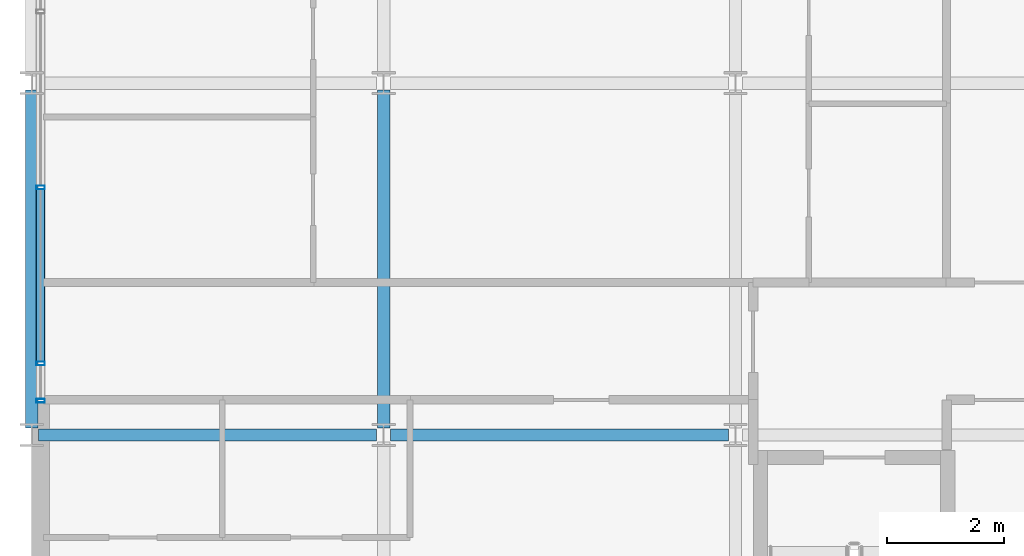
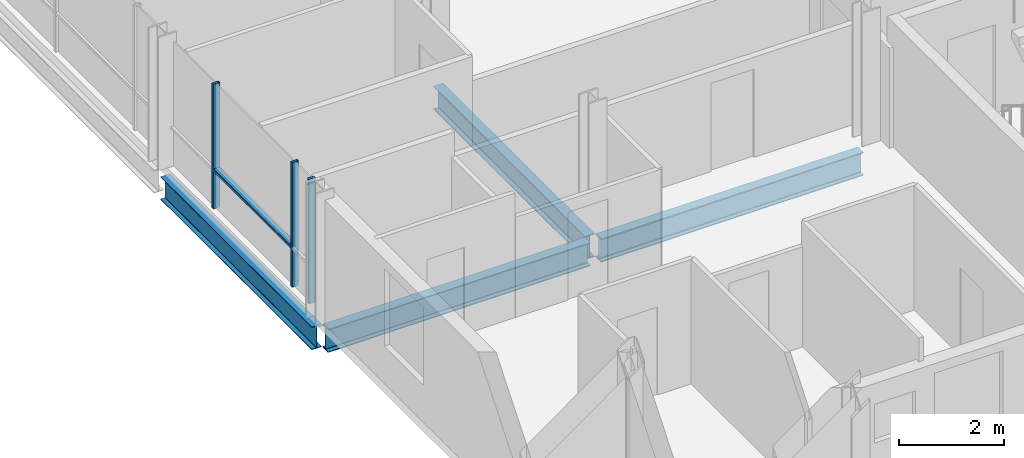
# One storey, part 3 of 35: 4 beams, 4 members, 1 element without a shape of its own.
"""IFC4 building model written with IfcOpenShell, lengths in metres."""

from ifc_helpers import new_model, si_unit, direction, frame, origin, origin_2d, place, context, subcontext, project, spatial, hollow_rectangle, i_section, extrude, material, layer, layer_set, material_profile, profile_set, type_object, element, aggregate, save


model = new_model("IFC4")

# Units and contexts
model_context = context("Model", 3, precision=1e-05, world=origin(), true_north=direction((0.0, 1.0)))
body_context = subcontext(model_context, "Body", "Model", "MODEL_VIEW")
ifc_project = project(units=[si_unit("LENGTHUNIT", "METRE"), si_unit("AREAUNIT", "SQUARE_METRE"), si_unit("VOLUMEUNIT", "CUBIC_METRE"), si_unit("PLANEANGLEUNIT", "RADIAN"), si_unit("MASSUNIT", "GRAM", prefix="KILO")], contexts=[model_context])

# Site, building, storey
site_placement = place(None, origin())
site = spatial("IfcSite", under=ifc_project, at=site_placement, CompositionType="ELEMENT")
building_placement = place(site_placement, origin())
building = spatial("IfcBuilding", under=site, at=building_placement, Name="Brevholm Reach", CompositionType="ELEMENT")
storey_placement = place(building_placement, frame((0.0, 0.0, 183.199951171875)))
storey = spatial("IfcBuildingStorey", under=building, at=storey_placement, Name="L55", CompositionType="ELEMENT", Elevation=183.199951171875)

# Beams
ifc_material_1 = material(Name="Structural Steel S355J2", Category="steel")
ifc_material_profile_1 = material_profile(ifc_material_1, i_section(OverallWidth=0.209228515625, OverallDepth=0.533203125, WebThickness=0.010009765625, FlangeThickness=0.015625, FilletRadius=0.0126953125, at=origin_2d()), Name="UKB 533x210x92")
ifc_profile_set_1 = profile_set([ifc_material_profile_1], Name="Structural Steel S355J2")
beam_type_1 = type_object("IfcBeamType", Name="BM-SP533", PredefinedType="SPANDREL", material=ifc_profile_set_1)
beam_placement = place(storey_placement, frame((0.0, 10.1201171875, -0.4765625), z_axis=(0.0, 1.0, 0.0), x_axis=(-1.0, 0.0, 0.0)))
element("IfcBeam", 1, at=beam_placement, inside=storey, type_object=beam_type_1, Name="L55 SP-02 Framing Beam", PredefinedType="SPANDREL", context=body_context, shape_type="SweptSolid", body=[
    extrude(i_section(OverallWidth=0.209228515625, OverallDepth=0.533203125, WebThickness=0.010009765625, FlangeThickness=0.015625, FilletRadius=0.0126953125, at=origin_2d()), origin(), (0.0, 0.0, 1.0), 5.759765625),
])
ifc_material_2 = material(Name="Structural Steel S355J2", Category="steel")
ifc_material_profile_2 = material_profile(ifc_material_2, i_section(OverallWidth=0.210693359375, OverallDepth=0.53955078125, WebThickness=0.01171875, FlangeThickness=0.018798828125, FilletRadius=0.0126953125, at=origin_2d()), Name="UKB 533x210x109")
ifc_profile_set_2 = profile_set([ifc_material_profile_2], Name="Structural Steel S355J2")
beam_type_2 = type_object("IfcBeamType", Name="BM-SP539", PredefinedType="SPANDREL", material=ifc_profile_set_2)
for number, where, z_axis, x_axis, name in (
    (2, (0.1201171875, 10.0, -0.479736328125), (1.0, 0.0, 0.0), (0.0, 1.0, 0.0), "L55 SP-01B Framing Beam"),
    (3, (6.1201171875, 10.0, -0.479736328125), (1.0, 0.0, 0.0), (0.0, 1.0, 0.0), "L55 SP-01B Framing Beam"),
    (4, (6.0, 10.1201171875, -0.479736328125), (0.0, 1.0, 0.0), (-1.0, 0.0, 0.0), "L55 SP-01B Framing Beam"),
):
    element("IfcBeam", number, at=place(storey_placement, frame(where, z_axis=z_axis, x_axis=x_axis)), inside=storey, type_object=beam_type_2, Name=name, PredefinedType="SPANDREL", context=body_context, shape_type="SweptSolid", body=[
        extrude(i_section(OverallWidth=0.210693359375, OverallDepth=0.53955078125, WebThickness=0.01171875, FlangeThickness=0.018798828125, FilletRadius=0.0126953125, at=origin_2d()), origin(), (0.0, 0.0, 1.0), 5.759765625),
    ])

# Curtain wall, members
ifc_material_3 = material(Name="Dark Anodised Aluminium 6063-T6 and Solar-Control Glass", Category="aluminium")
ifc_layer = layer(ifc_material_3, 0.14990234375)
ifc_layer_set = layer_set([ifc_layer], Name="Dark Anodised Aluminium 6063-T6 and Solar-Control Glass")
curtain_wall_type = type_object("IfcCurtainWallType", Name="CW-01", PredefinedType="NOTDEFINED", material=ifc_layer_set)
curtain_wall_placement = place(storey_placement, origin())
curtain_wall = element("IfcCurtainWall", 5, at=curtain_wall_placement, inside=storey, type_object=curtain_wall_type, Name="L55 Curtain Wall CW-01", PredefinedType="NOTDEFINED")
ifc_material_4 = material(Name="Dark Anodised Aluminium 6063-T6", Category="aluminium")
ifc_material_profile_3 = material_profile(ifc_material_4, hollow_rectangle(XDim=0.06494140625, YDim=0.14990234375, WallThickness=0.0048828125, InnerFilletRadius=0.0048828125, OuterFilletRadius=0.010009765625, at=origin_2d()), Name="RHS 150x65x5")
ifc_profile_set_3 = profile_set([ifc_material_profile_3], Name="Dark Anodised Aluminium 6063-T6")
member_type_1 = type_object("IfcMemberType", Name="CWM-150", PredefinedType="MULLION", material=ifc_profile_set_3)
member_1_placement = place(storey_placement, frame((0.14990234375, 14.219970703125, 0.0), z_axis=(0.0, 0.0, 1.0), x_axis=(0.0, -1.0, 0.0)))
member_1 = element("IfcMember", 6, at=member_1_placement, type_object=member_type_1, Name="CM-150 Mullion 4", PredefinedType="MULLION", context=body_context, shape_type="SweptSolid", body=[
    extrude(hollow_rectangle(XDim=0.06494140625, YDim=0.14990234375, WallThickness=0.0048828125, InnerFilletRadius=0.0048828125, OuterFilletRadius=0.010009765625, at=origin_2d()), origin(), (0.0, 0.0, 1.0), 2.89013671875),
])
member_2_placement = place(storey_placement, frame((0.14990234375, 11.219970703125, 0.0), z_axis=(0.0, 0.0, 1.0), x_axis=(0.0, -1.0, 0.0)))
member_2 = element("IfcMember", 7, at=member_2_placement, type_object=member_type_1, Name="CM-150 Mullion 5", PredefinedType="MULLION", context=body_context, shape_type="SweptSolid", body=[
    extrude(hollow_rectangle(XDim=0.06494140625, YDim=0.14990234375, WallThickness=0.0048828125, InnerFilletRadius=0.0048828125, OuterFilletRadius=0.010009765625, at=origin_2d()), origin(), (0.0, 0.0, 1.0), 2.89013671875),
])
member_3_placement = place(storey_placement, frame((0.14990234375, 10.58251953125, 0.0), z_axis=(0.0, 0.0, 1.0), x_axis=(0.0, -1.0, 0.0)))
member_3 = element("IfcMember", 8, at=member_3_placement, type_object=member_type_1, Name="CM-150 Mullion 6", PredefinedType="MULLION", context=body_context, shape_type="SweptSolid", body=[
    extrude(hollow_rectangle(XDim=0.06494140625, YDim=0.14990234375, WallThickness=0.0048828125, InnerFilletRadius=0.0048828125, OuterFilletRadius=0.010009765625, at=origin_2d()), origin(), (0.0, 0.0, 1.0), 2.89013671875),
])
ifc_material_5 = material(Name="Dark Anodised Aluminium 6063-T6", Category="aluminium")
ifc_material_profile_4 = material_profile(ifc_material_5, hollow_rectangle(XDim=0.06494140625, YDim=0.14990234375, WallThickness=0.0048828125, InnerFilletRadius=0.0048828125, OuterFilletRadius=0.010009765625, at=origin_2d()), Name="RHS 150x65x5")
ifc_profile_set_4 = profile_set([ifc_material_profile_4], Name="Dark Anodised Aluminium 6063-T6")
member_type_2 = type_object("IfcMemberType", Name="CWT-150", PredefinedType="NOTDEFINED", material=ifc_profile_set_4)
member_4_placement = place(storey_placement, frame((0.14990234375, 14.1875, 0.900146484375), z_axis=(0.0, -1.0, 0.0), x_axis=(0.0, 0.0, 1.0)))
member_4 = element("IfcMember", 9, at=member_4_placement, type_object=member_type_2, Name="CT-150 Transom 4.1", ObjectType="TRANSOM", PredefinedType="USERDEFINED", context=body_context, shape_type="SweptSolid", body=[
    extrude(hollow_rectangle(XDim=0.06494140625, YDim=0.14990234375, WallThickness=0.0048828125, InnerFilletRadius=0.0048828125, OuterFilletRadius=0.010009765625, at=origin_2d()), origin(), (0.0, 0.0, 1.0), 2.93505859375),
])
aggregate(curtain_wall, [member_1, member_2, member_3, member_4])

save(model, "model.ifc")
